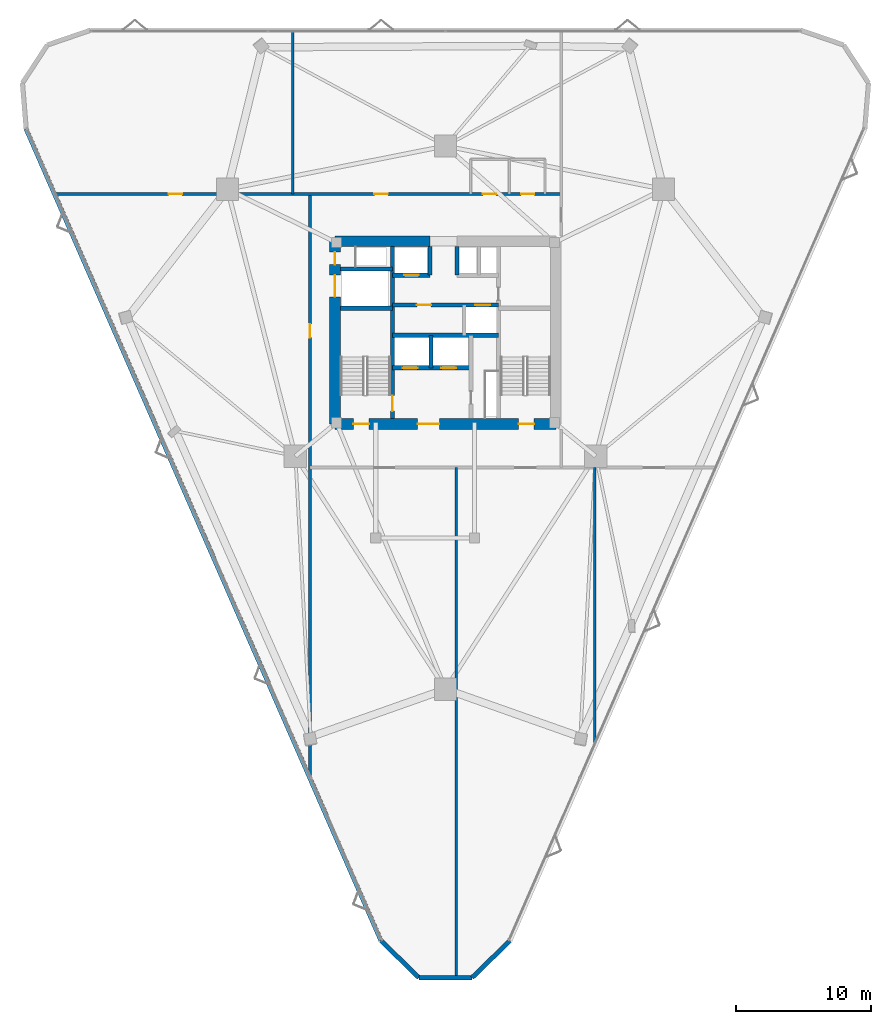
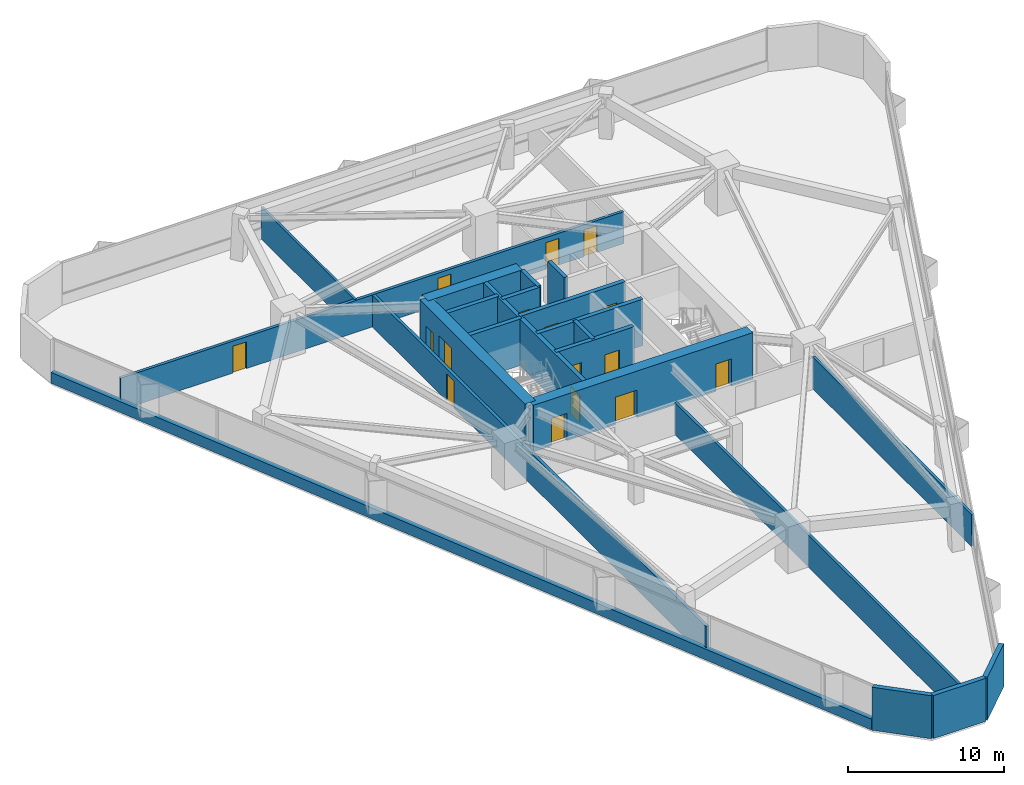
# One storey, part 14 of 17: 22 walls, 16 doors, 16 openings.
"""IFC4 building model written with IfcOpenShell, lengths in metres."""

from ifc_helpers import new_model, si_unit, direction, frame, frame_2d, origin, place, context, subcontext, project, spatial, rectangle, extrude, material, layer, layer_set, type_object, element, fill, save


model = new_model("IFC4")

# Units and contexts
model_context = context("Model", 3, precision=1e-05, world=origin(), true_north=direction((0.0, 1.0)))
body_context = subcontext(model_context, "Body", "Model", "MODEL_VIEW")
ifc_project = project(units=[si_unit("LENGTHUNIT", "METRE"), si_unit("AREAUNIT", "SQUARE_METRE"), si_unit("VOLUMEUNIT", "CUBIC_METRE"), si_unit("PLANEANGLEUNIT", "RADIAN"), si_unit("MASSUNIT", "GRAM", prefix="KILO")], contexts=[model_context])

# Site, building, storey
site_placement = place(None, origin())
site = spatial("IfcSite", under=ifc_project, at=site_placement, CompositionType="ELEMENT")
building_placement = place(site_placement, origin())
building = spatial("IfcBuilding", under=site, at=building_placement, Name="Talyreon Biosciences Tower", CompositionType="ELEMENT")
storey_placement = place(building_placement, frame((0.0, 0.0, 93.25)))
storey = spatial("IfcBuildingStorey", under=building, at=storey_placement, Name="L24", CompositionType="ELEMENT", Elevation=93.25)

# Walls
ifc_material_1 = material(Name="Gypsum fireboard acoustic stud", Category="gypsum")
ifc_layer_1 = layer(ifc_material_1, 0.199951171875)
ifc_layer_set_1 = layer_set([ifc_layer_1], Name="Gypsum fireboard acoustic stud")
wall_type_1 = type_object("IfcWallType", Name="ChemControlPartition_200", PredefinedType="PARTITIONING", material=ifc_layer_set_1)
wall_1_placement = place(storey_placement, frame((66.800048828125, 20.4423828125, 0.0), z_axis=(0.0, 0.0, 1.0), x_axis=(0.0, 1.0, 0.0)))
element("IfcWall", 1, at=wall_1_placement, inside=storey, type_object=wall_type_1, Name="L24 Interior Wall IW-L24-SDIV1", PredefinedType="PARTITIONING", context=body_context, shape_type="SweptSolid", body=[
    extrude(rectangle(XDim=37.587646484375, YDim=0.199951171875, at=frame_2d((18.7939453125, 0.0))), origin(), (0.0, 0.0, 1.0), 2.5048828125),
])
wall_2_placement = place(storey_placement, frame((77.02294921875, 37.620361328125, 0.0), z_axis=(0.0, 0.0, 1.0), x_axis=(0.0, 1.0, 0.0)))
element("IfcWall", 2, at=wall_2_placement, inside=storey, type_object=wall_type_1, Name="L24 Interior Wall IW-L24-SDIV2", PredefinedType="PARTITIONING", context=body_context, shape_type="SweptSolid", body=[
    extrude(rectangle(XDim=20.40966796875, YDim=0.199951171875, at=frame_2d((10.204833984375, 0.0))), origin(), (0.0, 0.0, 1.0), 2.5048828125),
])
ifc_material_2 = material(Name="Concrete C50/60", Category="concrete")
ifc_layer_2 = layer(ifc_material_2, 0.280029296875)
ifc_layer_set_2 = layer_set([ifc_layer_2], Name="Concrete C50/60")
wall_type_2 = type_object("IfcWallType", Name="CoreShearWall_280", PredefinedType="SHEAR", material=ifc_layer_set_2)
wall_3_placement = place(storey_placement, frame((64.919921875, 65.39990234375, 0.0), z_axis=(0.0, 0.0, 1.0), x_axis=(0.0, 1.0, 0.0)))
element("IfcWall", 3, at=wall_3_placement, inside=storey, type_object=wall_type_2, Name="L24 Core Shaft Wall SWSHD1", PredefinedType="SHEAR", context=body_context, shape_type="SweptSolid", body=[
    extrude(rectangle(XDim=2.400146484375, YDim=0.280029296875, at=frame_2d((1.2001953125, 0.0))), origin(), (0.0, 0.0, 1.0), 3.64990234375),
])
for number, where, z_axis, x_axis, name in (
    (4, (64.85009765625, 72.25, 0.0), (0.0, 0.0, 1.0), (0.0, 1.0, 0.0), "L24 Core Shaft Wall SWTHW"),
    (5, (66.85009765625, 72.25, 0.0), (0.0, 0.0, 1.0), (0.0, 1.0, 0.0), "L24 Core Shaft Wall SWTHE"),
):
    element("IfcWall", number, at=place(storey_placement, frame(where, z_axis=z_axis, x_axis=x_axis)), inside=storey, type_object=wall_type_2, Name=name, PredefinedType="SHEAR", context=body_context, shape_type="SweptSolid", body=[
        extrude(rectangle(XDim=2.10009765625, YDim=0.280029296875, at=frame_2d((1.050048828125, 0.0))), origin(), (0.0, 0.0, 1.0), 3.64990234375),
    ])

# Wall, opening, door
ifc_layer_3 = layer(ifc_material_2, 0.320068359375)
ifc_layer_set_3 = layer_set([ifc_layer_3], Name="Concrete C50/60")
wall_type_3 = type_object("IfcWallType", Name="CoreShearWall_320", PredefinedType="SHEAR", material=ifc_layer_set_3)
wall_4_placement = place(storey_placement, frame((62.090087890625, 61.64990234375, 0.0), z_axis=(0.0, 0.0, 1.0), x_axis=(0.0, 1.0, 0.0)))
wall_4 = element("IfcWall", 6, at=wall_4_placement, inside=storey, type_object=wall_type_3, Name="L24 Core Shaft Wall SW1E", PredefinedType="SHEAR", context=body_context, shape_type="SweptSolid", body=[
    extrude(rectangle(XDim=12.7001953125, YDim=0.320068359375, at=frame_2d((6.35009765625, 0.0))), origin(), (0.0, 0.0, 1.0), 3.64990234375),
])
opening_1_placement = place(wall_4_placement, frame((0.550048828125, 0.0, 0.0)))
opening_1 = element("IfcOpeningElement", 7, at=opening_1_placement, cuts=wall_4, Name="Opening DR-L24-FF-ST1", PredefinedType="OPENING", context=body_context, shape_type="SweptSolid", body=[
    extrude(rectangle(XDim=1.14990234375, YDim=2.14990234375, at=frame_2d((0.574951171875, 1.074951171875))), frame((0.0, 0.169921875, 0.0), z_axis=(0.0, -1.0, 0.0), x_axis=(1.0, 0.0, 0.0)), (0.0, 0.0, 1.0), 0.340087890625),
])
ifc_material_3 = material(Name="Painted steel fire door", Category="steel")
door_type_1 = type_object("IfcDoorType", Name="StairShaftFireDoor_1150x2150", OperationType="NOTDEFINED", PredefinedType="DOOR", material=ifc_material_3)
door_1_placement = place(opening_1_placement, origin())
door_1 = element("IfcDoor", 8, at=door_1_placement, inside=storey, type_object=door_type_1, Name="L24 Core Door DR-L24-FF-ST1", OperationType="SINGLE_SWING_LEFT", OverallHeight=2.14990234375, OverallWidth=1.14990234375, PredefinedType="DOOR", context=body_context, shape_type="SweptSolid", body=[
    extrude(rectangle(XDim=1.14990234375, YDim=2.14990234375, at=frame_2d((0.574951171875, 1.074951171875))), frame((0.0, 0.02490234375, 0.0), z_axis=(0.0, -1.0, 0.0), x_axis=(1.0, 0.0, 0.0)), (0.0, 0.0, 1.0), 0.050048828125),
])
fill(opening_1, door_1)

# Walls
for number, where, z_axis, x_axis, name in (
    (9, (58.25, 69.81005859375, 0.0), (0.0, 0.0, 1.0), (1.0, 0.0, 0.0), "L24 Core Shaft Wall SW1N"),
    (10, (58.25, 72.699951171875, 0.0), (0.0, 0.0, 1.0), (1.0, 0.0, 0.0), "L24 Core Shaft Wall SWGLN"),
):
    element("IfcWall", number, at=place(storey_placement, frame(where, z_axis=z_axis, x_axis=x_axis)), inside=storey, type_object=wall_type_3, Name=name, PredefinedType="SHEAR", context=body_context, shape_type="SweptSolid", body=[
        extrude(rectangle(XDim=3.840087890625, YDim=0.320068359375, at=frame_2d((1.919921875, 0.0))), origin(), (0.0, 0.0, 1.0), 3.64990234375),
    ])
wall_5_placement = place(storey_placement, frame((62.090087890625, 67.800048828125, 0.0), z_axis=(0.0, 0.0, 1.0), x_axis=(1.0, 0.0, 0.0)))
element("IfcWall", 11, at=wall_5_placement, inside=storey, type_object=wall_type_3, Name="L24 Core Shaft Wall SWSHM", PredefinedType="SHEAR", context=body_context, shape_type="SweptSolid", body=[
    extrude(rectangle(XDim=7.81982421875, YDim=0.320068359375, at=frame_2d((3.909912109375, 0.0))), origin(), (0.0, 0.0, 1.0), 3.64990234375),
])

# Wall, openings, doors
wall_6_placement = place(storey_placement, frame((62.090087890625, 70.050048828125, 0.0), z_axis=(0.0, 0.0, 1.0), x_axis=(1.0, 0.0, 0.0)))
wall_6 = element("IfcWall", 12, at=wall_6_placement, inside=storey, type_object=wall_type_3, Name="L24 Core Shaft Wall SWSPN", PredefinedType="SHEAR", context=body_context, shape_type="SweptSolid", body=[
    extrude(rectangle(XDim=7.81982421875, YDim=0.320068359375, at=frame_2d((3.909912109375, 0.0))), origin(), (0.0, 0.0, 1.0), 3.64990234375),
])
opening_2_placement = place(wall_6_placement, frame((1.800048828125, 0.0, 0.0)))
opening_2 = element("IfcOpeningElement", 13, at=opening_2_placement, cuts=wall_6, Name="Opening DR-L24-PLFREE-A", PredefinedType="OPENING", context=body_context, shape_type="SweptSolid", body=[
    extrude(rectangle(XDim=1.050048828125, YDim=2.14990234375, at=frame_2d((0.52490234375, 1.074951171875))), frame((0.0, 0.169921875, 0.0), z_axis=(0.0, -1.0, 0.0), x_axis=(1.0, 0.0, 0.0)), (0.0, 0.0, 1.0), 0.340087890625),
])
opening_3_placement = place(wall_6_placement, frame((6.10009765625, 0.0, 0.0)))
opening_3 = element("IfcOpeningElement", 14, at=opening_3_placement, cuts=wall_6, Name="Opening LD-L24-PM1", PredefinedType="OPENING", context=body_context, shape_type="SweptSolid", body=[
    extrude(rectangle(XDim=1.10009765625, YDim=2.199951171875, at=frame_2d((0.550048828125, 1.10009765625))), frame((0.0, 0.169921875, 0.0), z_axis=(0.0, -1.0, 0.0), x_axis=(1.0, 0.0, 0.0)), (0.0, 0.0, 1.0), 0.340087890625),
])
ifc_material_4 = material(Name="Acoustic timber-core laboratory door", Category="wood")
door_type_2 = type_object("IfcDoorType", Name="DryLabSingleDoor_1050x2150", OperationType="NOTDEFINED", PredefinedType="DOOR", material=ifc_material_4)
door_2_placement = place(opening_2_placement, origin())
door_2 = element("IfcDoor", 15, at=door_2_placement, inside=storey, type_object=door_type_2, Name="L24 Core Door DR-L24-PLFREE-A", OperationType="SINGLE_SWING_LEFT", OverallHeight=2.14990234375, OverallWidth=1.050048828125, PredefinedType="DOOR", context=body_context, shape_type="SweptSolid", body=[
    extrude(rectangle(XDim=1.050048828125, YDim=2.14990234375, at=frame_2d((0.52490234375, 1.074951171875))), frame((0.0, 0.02490234375, 0.0), z_axis=(0.0, -1.0, 0.0), x_axis=(1.0, 0.0, 0.0)), (0.0, 0.0, 1.0), 0.050048828125),
])
fill(opening_2, door_2)
ifc_material_5 = material(Name="Brushed stainless-steel lift landing door", Category="steel")
door_type_3 = type_object("IfcDoorType", Name="LiftSlidingLandingDoor_1100x2200", OperationType="SLIDING_TO_LEFT", PredefinedType="DOOR", material=ifc_material_5)
door_3_placement = place(opening_3_placement, origin())
door_3 = element("IfcDoor", 16, at=door_3_placement, inside=storey, type_object=door_type_3, Name="L24 Core Door LD-L24-PM1", OperationType="SLIDING_TO_LEFT", OverallHeight=2.199951171875, OverallWidth=1.10009765625, PredefinedType="DOOR", context=body_context, shape_type="SweptSolid", body=[
    extrude(rectangle(XDim=1.10009765625, YDim=2.199951171875, at=frame_2d((0.550048828125, 1.10009765625))), frame((0.0, 0.02490234375, 0.0), z_axis=(0.0, -1.0, 0.0), x_axis=(1.0, 0.0, 0.0)), (0.0, 0.0, 1.0), 0.050048828125),
])
fill(opening_3, door_3)

# Wall, opening, door
wall_7_placement = place(storey_placement, frame((62.090087890625, 72.25, 0.0), z_axis=(0.0, 0.0, 1.0), x_axis=(1.0, 0.0, 0.0)))
wall_7 = element("IfcWall", 17, at=wall_7_placement, inside=storey, type_object=wall_type_3, Name="L24 Core Shaft Wall SWNPW", PredefinedType="SHEAR", context=body_context, shape_type="SweptSolid", body=[
    extrude(rectangle(XDim=2.760009765625, YDim=0.320068359375, at=frame_2d((1.3798828125, 0.0))), origin(), (0.0, 0.0, 1.0), 3.64990234375),
])
opening_4_placement = place(wall_7_placement, frame((0.85009765625, 0.0, 0.0)))
opening_4 = element("IfcOpeningElement", 18, at=opening_4_placement, cuts=wall_7, Name="Opening LD-L24-PM2", PredefinedType="OPENING", context=body_context, shape_type="SweptSolid", body=[
    extrude(rectangle(XDim=1.10009765625, YDim=2.199951171875, at=frame_2d((0.550048828125, 1.10009765625))), frame((0.0, 0.169921875, 0.0), z_axis=(0.0, -1.0, 0.0), x_axis=(1.0, 0.0, 0.0)), (0.0, 0.0, 1.0), 0.340087890625),
])
door_4_placement = place(opening_4_placement, origin())
door_4 = element("IfcDoor", 19, at=door_4_placement, inside=storey, type_object=door_type_3, Name="L24 Core Door LD-L24-PM2", OperationType="SLIDING_TO_LEFT", OverallHeight=2.199951171875, OverallWidth=1.10009765625, PredefinedType="DOOR", context=body_context, shape_type="SweptSolid", body=[
    extrude(rectangle(XDim=1.10009765625, YDim=2.199951171875, at=frame_2d((0.550048828125, 1.10009765625))), frame((0.0, 0.02490234375, 0.0), z_axis=(0.0, -1.0, 0.0), x_axis=(1.0, 0.0, 0.0)), (0.0, 0.0, 1.0), 0.050048828125),
])
fill(opening_4, door_4)

# Wall, openings, doors
wall_8_placement = place(storey_placement, frame((62.090087890625, 65.39990234375, 0.0), z_axis=(0.0, 0.0, 1.0), x_axis=(1.0, 0.0, 0.0)))
wall_8 = element("IfcWall", 20, at=wall_8_placement, inside=storey, type_object=wall_type_3, Name="L24 Core Shaft Wall SWFFN", PredefinedType="SHEAR", context=body_context, shape_type="SweptSolid", body=[
    extrude(rectangle(XDim=5.789794921875, YDim=0.320068359375, at=frame_2d((2.89501953125, 0.0))), origin(), (0.0, 0.0, 1.0), 3.64990234375),
])
opening_5_placement = place(wall_8_placement, frame((0.75, 0.0, 0.0)))
opening_5 = element("IfcOpeningElement", 21, at=opening_5_placement, cuts=wall_8, Name="Opening LD-L24-FL1", PredefinedType="OPENING", context=body_context, shape_type="SweptSolid", body=[
    extrude(rectangle(XDim=1.10009765625, YDim=2.199951171875, at=frame_2d((0.550048828125, 1.10009765625))), frame((0.0, 0.169921875, 0.0), z_axis=(0.0, -1.0, 0.0), x_axis=(1.0, 0.0, 0.0)), (0.0, 0.0, 1.0), 0.340087890625),
])
opening_6_placement = place(wall_8_placement, frame((3.60009765625, 0.0, 0.0)))
opening_6 = element("IfcOpeningElement", 22, at=opening_6_placement, cuts=wall_8, Name="Opening LD-L24-FL2", PredefinedType="OPENING", context=body_context, shape_type="SweptSolid", body=[
    extrude(rectangle(XDim=1.10009765625, YDim=2.199951171875, at=frame_2d((0.550048828125, 1.10009765625))), frame((0.0, 0.169921875, 0.0), z_axis=(0.0, -1.0, 0.0), x_axis=(1.0, 0.0, 0.0)), (0.0, 0.0, 1.0), 0.340087890625),
])
door_5_placement = place(opening_5_placement, origin())
door_5 = element("IfcDoor", 23, at=door_5_placement, inside=storey, type_object=door_type_3, Name="L24 Core Door LD-L24-FL1", OperationType="SLIDING_TO_LEFT", OverallHeight=2.199951171875, OverallWidth=1.10009765625, PredefinedType="DOOR", context=body_context, shape_type="SweptSolid", body=[
    extrude(rectangle(XDim=1.10009765625, YDim=2.199951171875, at=frame_2d((0.550048828125, 1.10009765625))), frame((0.0, 0.02490234375, 0.0), z_axis=(0.0, -1.0, 0.0), x_axis=(1.0, 0.0, 0.0)), (0.0, 0.0, 1.0), 0.050048828125),
])
fill(opening_5, door_5)
door_6_placement = place(opening_6_placement, origin())
door_6 = element("IfcDoor", 24, at=door_6_placement, inside=storey, type_object=door_type_3, Name="L24 Core Door LD-L24-FL2", OperationType="SLIDING_TO_LEFT", OverallHeight=2.199951171875, OverallWidth=1.10009765625, PredefinedType="DOOR", context=body_context, shape_type="SweptSolid", body=[
    extrude(rectangle(XDim=1.10009765625, YDim=2.199951171875, at=frame_2d((0.550048828125, 1.10009765625))), frame((0.0, 0.02490234375, 0.0), z_axis=(0.0, -1.0, 0.0), x_axis=(1.0, 0.0, 0.0)), (0.0, 0.0, 1.0), 0.050048828125),
])
fill(opening_6, door_6)

ifc_material_6 = material(Name="Concrete C60/75", Category="concrete")
ifc_layer_4 = layer(ifc_material_6, 0.800048828125)
ifc_layer_set_4 = layer_set([ifc_layer_4], Name="Concrete C60/75")
wall_type_4 = type_object("IfcWallType", Name="CoreShearWall_800", PredefinedType="SHEAR", material=ifc_layer_set_4)
wall_9_placement = place(storey_placement, frame((57.85009765625, 61.25, 0.0), z_axis=(0.0, 0.0, 1.0), x_axis=(1.0, 0.0, 0.0)))
wall_9 = element("IfcWall", 25, at=wall_9_placement, inside=storey, type_object=wall_type_4, Name="L24 Core Shear Wall S", PredefinedType="SHEAR", context=body_context, shape_type="SweptSolid", body=[
    extrude(rectangle(XDim=16.2998046875, YDim=0.800048828125, at=frame_2d((8.14990234375, 0.0))), origin(), (0.0, 0.0, 1.0), 3.64990234375),
])
opening_7_placement = place(wall_9_placement, frame((1.35009765625, 0.0, 0.0)))
opening_7 = element("IfcOpeningElement", 26, at=opening_7_placement, cuts=wall_9, Name="Opening DR-L24-ST1", PredefinedType="OPENING", context=body_context, shape_type="SweptSolid", body=[
    extrude(rectangle(XDim=1.14990234375, YDim=2.14990234375, at=frame_2d((0.574951171875, 1.074951171875))), frame((0.0, 0.409912109375, 0.0), z_axis=(0.0, -1.0, 0.0), x_axis=(1.0, 0.0, 0.0)), (0.0, 0.0, 1.0), 0.820068359375),
])
opening_8_placement = place(wall_9_placement, frame((6.10009765625, 0.0, 0.0)))
opening_8 = element("IfcOpeningElement", 27, at=opening_8_placement, cuts=wall_9, Name="Opening DR-L24-FFL", PredefinedType="OPENING", context=body_context, shape_type="SweptSolid", body=[
    extrude(rectangle(XDim=1.60009765625, YDim=2.14990234375, at=frame_2d((0.800048828125, 1.074951171875))), frame((0.0, 0.409912109375, 0.0), z_axis=(0.0, -1.0, 0.0), x_axis=(1.0, 0.0, 0.0)), (0.0, 0.0, 1.0), 0.820068359375),
])
opening_9_placement = place(wall_9_placement, frame((13.550048828125, 0.0, 0.0)))
opening_9 = element("IfcOpeningElement", 28, at=opening_9_placement, cuts=wall_9, Name="Opening DR-L24-ST2", PredefinedType="OPENING", context=body_context, shape_type="SweptSolid", body=[
    extrude(rectangle(XDim=1.14990234375, YDim=2.14990234375, at=frame_2d((0.574951171875, 1.074951171875))), frame((0.0, 0.409912109375, 0.0), z_axis=(0.0, -1.0, 0.0), x_axis=(1.0, 0.0, 0.0)), (0.0, 0.0, 1.0), 0.820068359375),
])
ifc_material_7 = material(Name="Painted steel smoke-seal fire door", Category="steel")
door_type_4 = type_object("IfcDoorType", Name="FirefightingLobbyDoubleDoor_1600x2150", OperationType="DOUBLE_DOOR_SINGLE_SWING", PredefinedType="DOOR", material=ifc_material_7)
door_7_placement = place(opening_8_placement, origin())
door_7 = element("IfcDoor", 29, at=door_7_placement, inside=storey, type_object=door_type_4, Name="L24 Core Door DR-L24-FFL", OperationType="DOUBLE_DOOR_SINGLE_SWING", OverallHeight=2.14990234375, OverallWidth=1.60009765625, PredefinedType="DOOR", context=body_context, shape_type="SweptSolid", body=[
    extrude(rectangle(XDim=1.60009765625, YDim=2.14990234375, at=frame_2d((0.800048828125, 1.074951171875))), frame((0.0, 0.02490234375, 0.0), z_axis=(0.0, -1.0, 0.0), x_axis=(1.0, 0.0, 0.0)), (0.0, 0.0, 1.0), 0.050048828125),
])
fill(opening_8, door_7)
door_8_placement = place(opening_7_placement, origin())
door_8 = element("IfcDoor", 30, at=door_8_placement, inside=storey, type_object=door_type_1, Name="L24 Core Door DR-L24-ST1", OperationType="SINGLE_SWING_LEFT", OverallHeight=2.14990234375, OverallWidth=1.14990234375, PredefinedType="DOOR", context=body_context, shape_type="SweptSolid", body=[
    extrude(rectangle(XDim=1.14990234375, YDim=2.14990234375, at=frame_2d((0.574951171875, 1.074951171875))), frame((0.0, 0.02490234375, 0.0), z_axis=(0.0, -1.0, 0.0), x_axis=(1.0, 0.0, 0.0)), (0.0, 0.0, 1.0), 0.050048828125),
])
fill(opening_7, door_8)
door_9_placement = place(opening_9_placement, origin())
door_9 = element("IfcDoor", 31, at=door_9_placement, inside=storey, type_object=door_type_1, Name="L24 Core Door DR-L24-ST2", OperationType="SINGLE_SWING_RIGHT", OverallHeight=2.14990234375, OverallWidth=1.14990234375, PredefinedType="DOOR", context=body_context, shape_type="SweptSolid", body=[
    extrude(rectangle(XDim=1.14990234375, YDim=2.14990234375, at=frame_2d((0.574951171875, 1.074951171875))), frame((0.0, 0.02490234375, 0.0), z_axis=(0.0, -1.0, 0.0), x_axis=(1.0, 0.0, 0.0)), (0.0, 0.0, 1.0), 0.050048828125),
])
fill(opening_9, door_9)

# Wall
wall_10_placement = place(storey_placement, frame((64.85009765625, 74.75, 0.0), z_axis=(0.0, 0.0, 1.0), x_axis=(-1.0, 0.0, 0.0)))
element("IfcWall", 32, at=wall_10_placement, inside=storey, type_object=wall_type_4, Name="L24 Core Shear Wall NW", PredefinedType="SHEAR", context=body_context, shape_type="SweptSolid", body=[
    extrude(rectangle(XDim=7.0, YDim=0.800048828125, at=frame_2d((3.5, 0.0))), origin(), (0.0, 0.0, 1.0), 3.64990234375),
])

# Wall, openings, doors
wall_11_placement = place(storey_placement, frame((57.85009765625, 74.75, 0.0), z_axis=(0.0, 0.0, 1.0), x_axis=(0.0, -1.0, 0.0)))
wall_11 = element("IfcWall", 33, at=wall_11_placement, inside=storey, type_object=wall_type_4, Name="L24 Core Shear Wall W", PredefinedType="SHEAR", context=body_context, shape_type="SweptSolid", body=[
    extrude(rectangle(XDim=13.5, YDim=0.800048828125, at=frame_2d((6.75, 0.0))), origin(), (0.0, 0.0, 1.0), 3.64990234375),
])
opening_10_placement = place(wall_11_placement, frame((0.800048828125, 0.0, 0.0)))
opening_10 = element("IfcOpeningElement", 34, at=opening_10_placement, cuts=wall_11, Name="Opening DR-L24-RSW", PredefinedType="OPENING", context=body_context, shape_type="SweptSolid", body=[
    extrude(rectangle(XDim=0.919921875, YDim=2.050048828125, at=frame_2d((0.4599609375, 1.02490234375))), frame((0.0, 0.409912109375, 0.0), z_axis=(0.0, -1.0, 0.0), x_axis=(1.0, 0.0, 0.0)), (0.0, 0.0, 1.0), 0.820068359375),
])
opening_11_placement = place(wall_11_placement, frame((2.5, 0.0, 0.0)))
opening_11 = element("IfcOpeningElement", 35, at=opening_11_placement, cuts=wall_11, Name="Opening LD-L24-GL1", PredefinedType="OPENING", context=body_context, shape_type="SweptSolid", body=[
    extrude(rectangle(XDim=1.60009765625, YDim=2.300048828125, at=frame_2d((0.800048828125, 1.14990234375))), frame((0.0, 0.409912109375, 0.0), z_axis=(0.0, -1.0, 0.0), x_axis=(1.0, 0.0, 0.0)), (0.0, 0.0, 1.0), 0.820068359375),
])
ifc_material_8 = material(Name="Heavy-duty stainless-steel goods lift door", Category="steel")
door_type_5 = type_object("IfcDoorType", Name="GoodsLiftSlidingDoor_1600x2300", OperationType="DOUBLE_DOOR_SLIDING", PredefinedType="DOOR", material=ifc_material_8)
door_10_placement = place(opening_11_placement, origin())
door_10 = element("IfcDoor", 36, at=door_10_placement, inside=storey, type_object=door_type_5, Name="L24 Core Door LD-L24-GL1", OperationType="DOUBLE_DOOR_SLIDING", OverallHeight=2.300048828125, OverallWidth=1.60009765625, PredefinedType="DOOR", context=body_context, shape_type="SweptSolid", body=[
    extrude(rectangle(XDim=1.60009765625, YDim=2.300048828125, at=frame_2d((0.800048828125, 1.14990234375))), frame((0.0, 0.02490234375, 0.0), z_axis=(0.0, -1.0, 0.0), x_axis=(1.0, 0.0, 0.0)), (0.0, 0.0, 1.0), 0.050048828125),
])
fill(opening_11, door_10)
ifc_material_9 = material(Name="Painted steel fire-rated riser door", Category="steel")
door_type_6 = type_object("IfcDoorType", Name="RiserPlantAccessDoor_920x2050", OperationType="NOTDEFINED", PredefinedType="DOOR", material=ifc_material_9)
door_11_placement = place(opening_10_placement, origin())
door_11 = element("IfcDoor", 37, at=door_11_placement, inside=storey, type_object=door_type_6, Name="L24 Core Door DR-L24-RSW", OperationType="SINGLE_SWING_LEFT", OverallHeight=2.050048828125, OverallWidth=0.919921875, PredefinedType="DOOR", context=body_context, shape_type="SweptSolid", body=[
    extrude(rectangle(XDim=0.919921875, YDim=2.050048828125, at=frame_2d((0.4599609375, 1.02490234375))), frame((0.0, 0.02490234375, 0.0), z_axis=(0.0, -1.0, 0.0), x_axis=(1.0, 0.0, 0.0)), (0.0, 0.0, 1.0), 0.050048828125),
])
fill(opening_10, door_11)

ifc_layer_5 = layer(ifc_material_1, 0.219970703125)
ifc_layer_set_5 = layer_set([ifc_layer_5], Name="Gypsum fireboard acoustic stud")
wall_type_5 = type_object("IfcWallType", Name="CorridorRatedPartition_220", PredefinedType="PARTITIONING", material=ifc_layer_set_5)
wall_12_placement = place(storey_placement, frame((37.216064453125, 78.25, 0.0), z_axis=(0.0, 0.0, 1.0), x_axis=(1.0, 0.0, 0.0)))
wall_12 = element("IfcWall", 38, at=wall_12_placement, inside=storey, type_object=wall_type_5, Name="L24 Interior Wall IW-L24-COR-N", PredefinedType="PARTITIONING", context=body_context, shape_type="SweptSolid", body=[
    extrude(rectangle(XDim=37.333984375, YDim=0.219970703125, at=frame_2d((18.6669921875, 0.0))), origin(), (0.0, 0.0, 1.0), 2.5048828125),
])
opening_12_placement = place(wall_12_placement, frame((31.5439453125, 0.0, 0.0)))
opening_12 = element("IfcOpeningElement", 39, at=opening_12_placement, cuts=wall_12, Name="Opening DR-L24-WC", PredefinedType="OPENING", context=body_context, shape_type="SweptSolid", body=[
    extrude(rectangle(XDim=0.97998046875, YDim=2.10009765625, at=frame_2d((0.489990234375, 1.050048828125))), frame((0.0, 0.119873046875, 0.0), z_axis=(0.0, -1.0, 0.0), x_axis=(1.0, 0.0, 0.0)), (0.0, 0.0, 1.0), 0.239990234375),
])
opening_13_placement = place(wall_12_placement, frame((34.368896484375, 0.0, 0.0)))
opening_13 = element("IfcOpeningElement", 40, at=opening_13_placement, cuts=wall_12, Name="Opening DR-L24-AWC", PredefinedType="OPENING", context=body_context, shape_type="SweptSolid", body=[
    extrude(rectangle(XDim=0.97998046875, YDim=2.10009765625, at=frame_2d((0.489990234375, 1.050048828125))), frame((0.0, 0.119873046875, 0.0), z_axis=(0.0, -1.0, 0.0), x_axis=(1.0, 0.0, 0.0)), (0.0, 0.0, 1.0), 0.239990234375),
])
opening_14_placement = place(wall_12_placement, frame((8.324951171875, 0.0, 0.0)))
opening_14 = element("IfcOpeningElement", 41, at=opening_14_placement, cuts=wall_12, Name="Opening DR-L24-N1A", PredefinedType="OPENING", context=body_context, shape_type="SweptSolid", body=[
    extrude(rectangle(XDim=1.0, YDim=2.10009765625, at=frame_2d((0.5, 1.050048828125))), frame((0.0, 0.119873046875, 0.0), z_axis=(0.0, -1.0, 0.0), x_axis=(1.0, 0.0, 0.0)), (0.0, 0.0, 1.0), 0.239990234375),
])
opening_15_placement = place(wall_12_placement, frame((23.527099609375, 0.0, 0.0)))
opening_15 = element("IfcOpeningElement", 42, at=opening_15_placement, cuts=wall_12, Name="Opening DR-L24-N2A", PredefinedType="OPENING", context=body_context, shape_type="SweptSolid", body=[
    extrude(rectangle(XDim=1.0, YDim=2.10009765625, at=frame_2d((0.5, 1.050048828125))), frame((0.0, 0.119873046875, 0.0), z_axis=(0.0, -1.0, 0.0), x_axis=(1.0, 0.0, 0.0)), (0.0, 0.0, 1.0), 0.239990234375),
])
ifc_material_10 = material(Name="Laminate moisture-resistant door", Category="wood")
door_type_7 = type_object("IfcDoorType", Name="AccessibleToiletDoor_980x2100", OperationType="NOTDEFINED", PredefinedType="DOOR", material=ifc_material_10)
door_12_placement = place(opening_12_placement, origin())
door_12 = element("IfcDoor", 43, at=door_12_placement, inside=storey, type_object=door_type_7, Name="L24 Interior Door DR-L24-WC", OperationType="SINGLE_SWING_RIGHT", OverallHeight=2.10009765625, OverallWidth=0.97998046875, PredefinedType="DOOR", context=body_context, shape_type="SweptSolid", body=[
    extrude(rectangle(XDim=0.97998046875, YDim=2.10009765625, at=frame_2d((0.489990234375, 1.050048828125))), frame((0.0, 0.02490234375, 0.0), z_axis=(0.0, -1.0, 0.0), x_axis=(1.0, 0.0, 0.0)), (0.0, 0.0, 1.0), 0.050048828125),
])
fill(opening_12, door_12)
door_13_placement = place(opening_13_placement, origin())
door_13 = element("IfcDoor", 44, at=door_13_placement, inside=storey, type_object=door_type_7, Name="L24 Interior Door DR-L24-AWC", OperationType="SINGLE_SWING_RIGHT", OverallHeight=2.10009765625, OverallWidth=0.97998046875, PredefinedType="DOOR", context=body_context, shape_type="SweptSolid", body=[
    extrude(rectangle(XDim=0.97998046875, YDim=2.10009765625, at=frame_2d((0.489990234375, 1.050048828125))), frame((0.0, 0.02490234375, 0.0), z_axis=(0.0, -1.0, 0.0), x_axis=(1.0, 0.0, 0.0)), (0.0, 0.0, 1.0), 0.050048828125),
])
fill(opening_13, door_13)
ifc_material_11 = material(Name="Acoustic oak veneer office door", Category="wood")
door_type_8 = type_object("IfcDoorType", Name="WriteupOfficeDoor_1000x2100", OperationType="NOTDEFINED", PredefinedType="DOOR", material=ifc_material_11)
door_14_placement = place(opening_14_placement, origin())
door_14 = element("IfcDoor", 45, at=door_14_placement, inside=storey, type_object=door_type_8, Name="L24 Interior Door DR-L24-N1A", OperationType="SINGLE_SWING_RIGHT", OverallHeight=2.10009765625, OverallWidth=1.0, PredefinedType="DOOR", context=body_context, shape_type="SweptSolid", body=[
    extrude(rectangle(XDim=1.0, YDim=2.10009765625, at=frame_2d((0.5, 1.050048828125))), frame((0.0, 0.02490234375, 0.0), z_axis=(0.0, -1.0, 0.0), x_axis=(1.0, 0.0, 0.0)), (0.0, 0.0, 1.0), 0.050048828125),
])
fill(opening_14, door_14)
door_15_placement = place(opening_15_placement, origin())
door_15 = element("IfcDoor", 46, at=door_15_placement, inside=storey, type_object=door_type_8, Name="L24 Interior Door DR-L24-N2A", OperationType="SINGLE_SWING_RIGHT", OverallHeight=2.10009765625, OverallWidth=1.0, PredefinedType="DOOR", context=body_context, shape_type="SweptSolid", body=[
    extrude(rectangle(XDim=1.0, YDim=2.10009765625, at=frame_2d((0.5, 1.050048828125))), frame((0.0, 0.02490234375, 0.0), z_axis=(0.0, -1.0, 0.0), x_axis=(1.0, 0.0, 0.0)), (0.0, 0.0, 1.0), 0.050048828125),
])
fill(opening_15, door_15)

# Wall, opening, door
wall_13_placement = place(storey_placement, frame((56.0, 35.2802734375, 0.0), z_axis=(0.0, 0.0, 1.0), x_axis=(0.0, 1.0, 0.0)))
wall_13 = element("IfcWall", 47, at=wall_13_placement, inside=storey, type_object=wall_type_5, Name="L24 Interior Wall IW-L24-COR-W", PredefinedType="PARTITIONING", context=body_context, shape_type="SweptSolid", body=[
    extrude(rectangle(XDim=42.9697265625, YDim=0.219970703125, at=frame_2d((21.48486328125, 0.0))), origin(), (0.0, 0.0, 1.0), 2.5048828125),
])
opening_16_placement = place(wall_13_placement, frame((32.360107421875, 0.0, 0.0)))
opening_16 = element("IfcOpeningElement", 48, at=opening_16_placement, cuts=wall_13, Name="Opening DR-L24-W1A", PredefinedType="OPENING", context=body_context, shape_type="SweptSolid", body=[
    extrude(rectangle(XDim=1.0, YDim=2.10009765625, at=frame_2d((0.5, 1.050048828125))), frame((0.0, 0.119873046875, 0.0), z_axis=(0.0, -1.0, 0.0), x_axis=(1.0, 0.0, 0.0)), (0.0, 0.0, 1.0), 0.239990234375),
])
door_16_placement = place(opening_16_placement, origin())
door_16 = element("IfcDoor", 49, at=door_16_placement, inside=storey, type_object=door_type_8, Name="L24 Interior Door DR-L24-W1A", OperationType="SINGLE_SWING_RIGHT", OverallHeight=2.10009765625, OverallWidth=1.0, PredefinedType="DOOR", context=body_context, shape_type="SweptSolid", body=[
    extrude(rectangle(XDim=1.0, YDim=2.10009765625, at=frame_2d((0.5, 1.050048828125))), frame((0.0, 0.02490234375, 0.0), z_axis=(0.0, -1.0, 0.0), x_axis=(1.0, 0.0, 0.0)), (0.0, 0.0, 1.0), 0.050048828125),
])
fill(opening_16, door_16)

# Walls
ifc_material_12 = material(Name="Gypsum acoustic stud partition", Category="gypsum")
ifc_layer_6 = layer(ifc_material_12, 0.159912109375)
ifc_layer_set_6 = layer_set([ifc_layer_6], Name="Gypsum acoustic stud partition")
wall_type_6 = type_object("IfcWallType", Name="LabSeparationPartition_160", PredefinedType="PARTITIONING", material=ifc_layer_set_6)
wall_14_placement = place(storey_placement, frame((54.717041015625, 78.25, 0.0), z_axis=(0.0, 0.0, 1.0), x_axis=(0.0, 1.0, 0.0)))
element("IfcWall", 50, at=wall_14_placement, inside=storey, type_object=wall_type_6, Name="L24 Interior Wall IW-L24-NDIV1", PredefinedType="PARTITIONING", context=body_context, shape_type="SweptSolid", body=[
    extrude(rectangle(XDim=12.0185546875, YDim=0.159912109375, at=frame_2d((6.00927734375, 0.0))), origin(), (0.0, 0.0, 1.0), 2.5048828125),
])
ifc_material_13 = material(Name="Precast concrete C45/55", Category="concrete")
ifc_layer_7 = layer(ifc_material_13, 0.340087890625)
ifc_layer_set_7 = layer_set([ifc_layer_7], Name="Precast concrete C45/55")
wall_type_7 = type_object("IfcWallType", Name="PrecastConcreteSpandrelWall_340", PredefinedType="STANDARD", material=ifc_layer_set_7)
wall_15_placement = place(storey_placement, frame((61.2353515625, 23.091552734375, 0.0), z_axis=(0.0, 0.0, 1.0), x_axis=(-0.400542161224, 0.916278329484, 0.0)))
element("IfcWall", 51, at=wall_15_placement, inside=storey, type_object=wall_type_7, Name="L24 Expressed Concrete Sill Wall 00", PredefinedType="STANDARD", context=body_context, shape_type="SweptSolid", body=[
    extrude(rectangle(XDim=65.45947265625, YDim=0.340087890625, at=frame_2d((32.729736328125, 0.0))), origin(), (0.0, 0.0, 1.0), 0.85009765625),
])
wall_16_placement = place(storey_placement, frame((70.7646484375, 23.091552734375, 0.0), z_axis=(0.0, 0.0, 1.0), x_axis=(-0.716208023847, -0.697886858006, 0.0)))
element("IfcWall", 52, at=wall_16_placement, inside=storey, type_object=wall_type_7, Name="L24 Rounded-Corner Concrete Pier 09", PredefinedType="STANDARD", context=body_context, shape_type="SweptSolid", body=[
    extrude(rectangle(XDim=3.917724609375, YDim=0.340087890625, at=frame_2d((1.958984375, 0.0))), origin(), (0.0, 0.0, 1.0), 3.375),
])
wall_17_placement = place(storey_placement, frame((67.958740234375, 20.357421875, 0.0), z_axis=(0.0, 0.0, 1.0), x_axis=(-1.0, 0.0, 0.0)))
element("IfcWall", 53, at=wall_17_placement, inside=storey, type_object=wall_type_7, Name="L24 Rounded-Corner Concrete Pier 10", PredefinedType="STANDARD", context=body_context, shape_type="SweptSolid", body=[
    extrude(rectangle(XDim=3.91748046875, YDim=0.340087890625, at=frame_2d((1.958740234375, 0.0))), origin(), (0.0, 0.0, 1.0), 3.375),
])
wall_18_placement = place(storey_placement, frame((64.041259765625, 20.357421875, 0.0), z_axis=(0.0, 0.0, 1.0), x_axis=(-0.716208023847, 0.697886858006, 0.0)))
element("IfcWall", 54, at=wall_18_placement, inside=storey, type_object=wall_type_7, Name="L24 Rounded-Corner Concrete Pier 11", PredefinedType="STANDARD", context=body_context, shape_type="SweptSolid", body=[
    extrude(rectangle(XDim=3.917724609375, YDim=0.340087890625, at=frame_2d((1.958984375, 0.0))), origin(), (0.0, 0.0, 1.0), 3.375),
])

save(model, "model.ifc")
